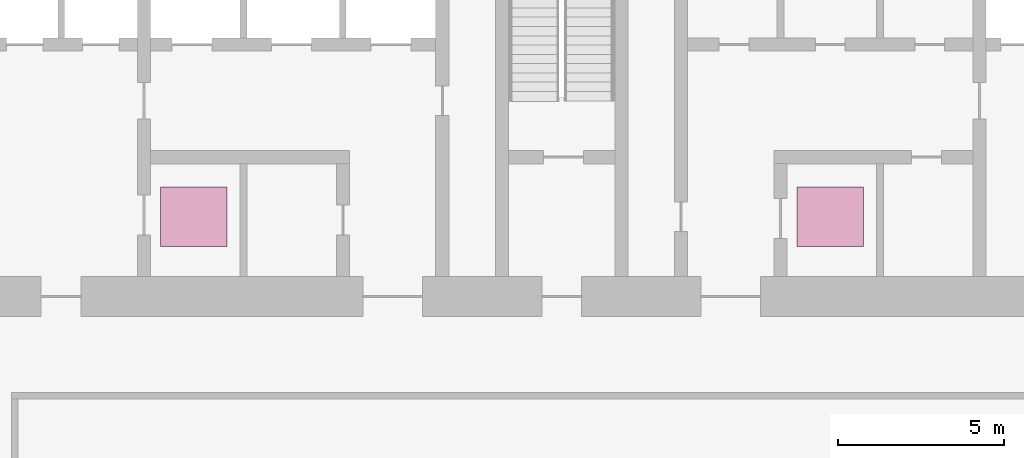
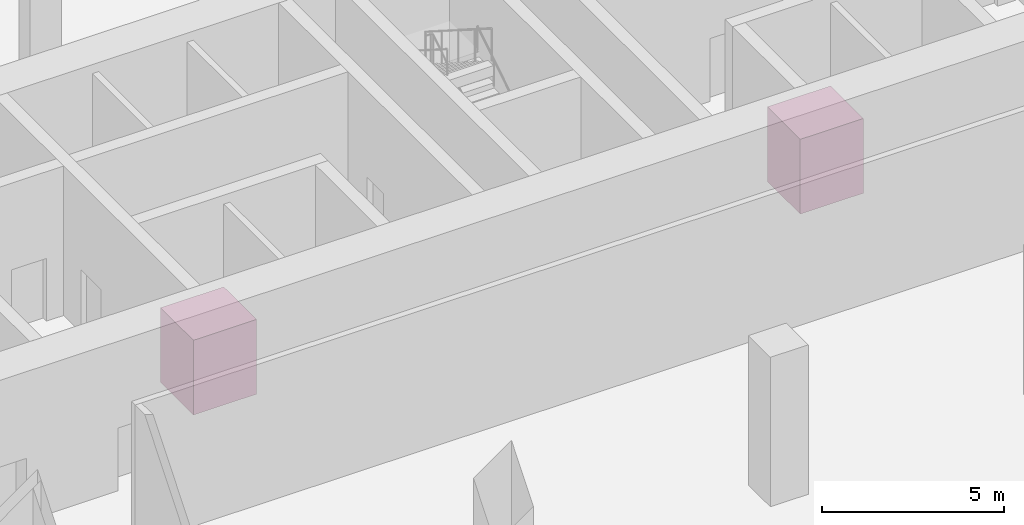
# One storey, part 16 of 16: 2 transport elements.
"""IFC4 building model written with IfcOpenShell, lengths in metres."""

from ifc_helpers import new_model, si_unit, direction, frame, origin, origin_2d, place, context, subcontext, project, spatial, rectangle, extrude, material, type_object, element, save


model = new_model("IFC4")

# Units and contexts
model_context = context("Model", 3, precision=1e-05, world=origin(), true_north=direction((0.0, 1.0)))
body_context = subcontext(model_context, "Body", "Model", "MODEL_VIEW")
ifc_project = project(units=[si_unit("LENGTHUNIT", "METRE"), si_unit("AREAUNIT", "SQUARE_METRE"), si_unit("VOLUMEUNIT", "CUBIC_METRE"), si_unit("PLANEANGLEUNIT", "RADIAN"), si_unit("MASSUNIT", "GRAM", prefix="KILO")], contexts=[model_context])

# Site, building, storey
site_placement = place(None, origin())
site = spatial("IfcSite", under=ifc_project, at=site_placement, CompositionType="ELEMENT")
building_placement = place(site_placement, origin())
building = spatial("IfcBuilding", under=site, at=building_placement, Name="Bicima Exchange Tower", CompositionType="ELEMENT")
storey_placement = place(building_placement, frame((0.0, 0.0, -5.0)))
storey = spatial("IfcBuildingStorey", under=building, at=storey_placement, Name="B1", CompositionType="ELEMENT", Elevation=-5.0)

# Transport elements
ifc_material = material(Name="Stainless steel", Category="steel")
transport_element_type = type_object("IfcTransportElementType", Name="Shuttle lift car 2000 x 1800", PredefinedType="ELEVATOR", material=ifc_material)
for number, where, z_axis, x_axis, name in (
    (1, (-11.10009765625, -10.0, 0.0), (0.0, 0.0, 1.0), (1.0, 0.0, 0.0), "SH1"),
    (2, (8.10009765625, -10.0, 0.0), (0.0, 0.0, 1.0), (1.0, 0.0, 0.0), "SH2"),
):
    element("IfcTransportElement", number, at=place(storey_placement, frame(where, z_axis=z_axis, x_axis=x_axis)), inside=storey, type_object=transport_element_type, Name=name, PredefinedType="ELEVATOR", context=body_context, shape_type="SweptSolid", body=[
        extrude(rectangle(XDim=2.0, YDim=1.800048828125, at=origin_2d()), origin(), (0.0, 0.0, 1.0), 2.5),
    ])

save(model, "model.ifc")
